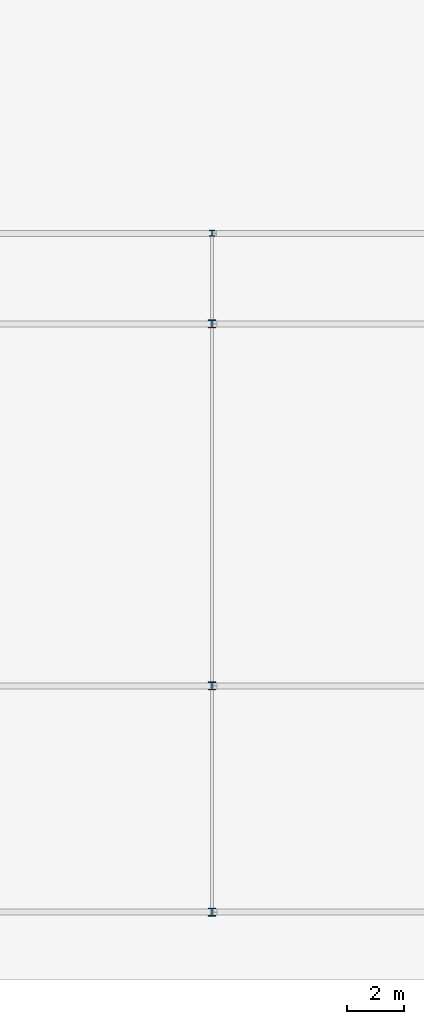
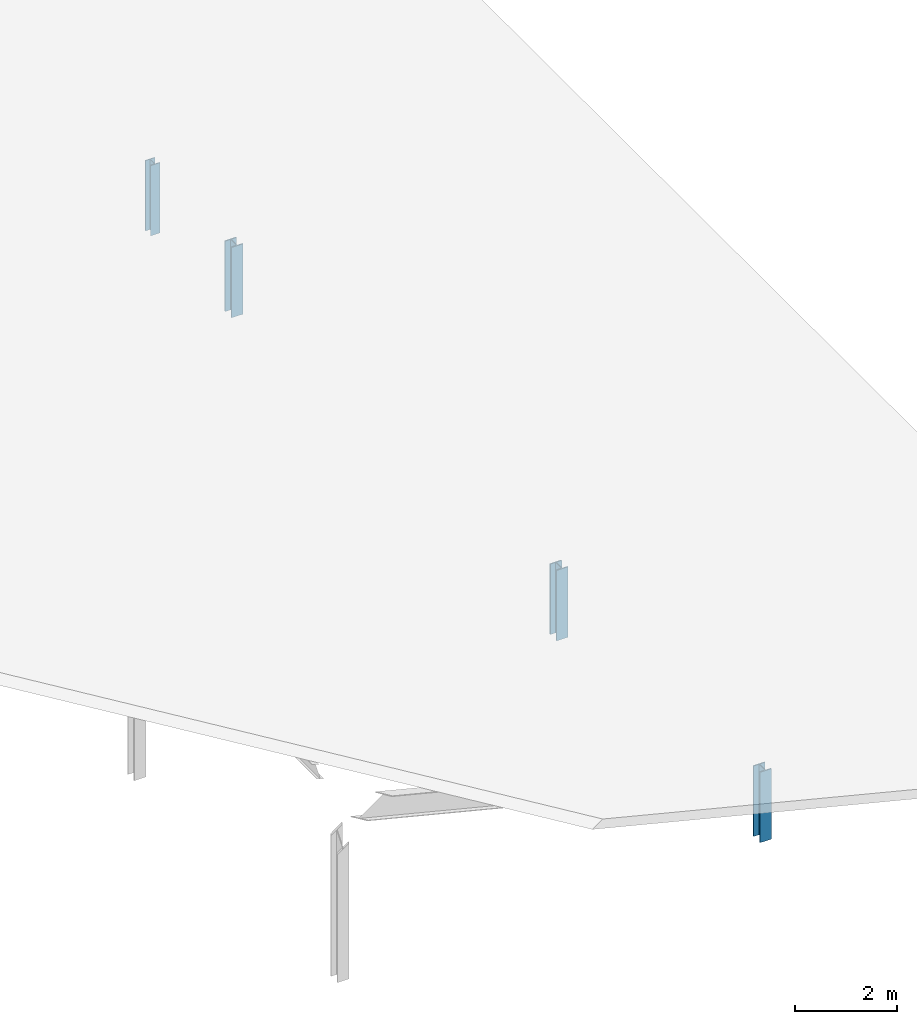
# One storey, part 4 of 22: 4 columns.
"""IFC4 building model written with IfcOpenShell, lengths in metres."""

from ifc_helpers import new_model, si_unit, direction, frame, origin, origin_2d, place, context, subcontext, project, spatial, i_section, extrude, material, material_profile, profile_set, type_object, element, save


model = new_model("IFC4")

# Units and contexts
model_context = context("Model", 3, precision=1e-05, world=origin(), true_north=direction((0.0, 1.0)))
body_context = subcontext(model_context, "Body", "Model", "MODEL_VIEW")
ifc_project = project(units=[si_unit("LENGTHUNIT", "METRE"), si_unit("AREAUNIT", "SQUARE_METRE"), si_unit("VOLUMEUNIT", "CUBIC_METRE"), si_unit("PLANEANGLEUNIT", "RADIAN"), si_unit("MASSUNIT", "GRAM", prefix="KILO")], contexts=[model_context])

# Site, building, storey
site_placement = place(None, origin())
site = spatial("IfcSite", under=ifc_project, at=site_placement, CompositionType="ELEMENT")
building_placement = place(site_placement, origin())
building = spatial("IfcBuilding", under=site, at=building_placement, Name="Dunescarp Central Library", CompositionType="ELEMENT")
storey_placement = place(building_placement, frame((0.0, 0.0, 27.60009765625)))
storey = spatial("IfcBuildingStorey", under=building, at=storey_placement, Name="L06", CompositionType="ELEMENT", Elevation=27.60009765625)

# Columns
ifc_material = material(Name="Steel S355JR", Category="steel")
ifc_material_profile_1 = material_profile(ifc_material, i_section(OverallWidth=0.206298828125, OverallDepth=0.2158203125, WebThickness=0.010009765625, FlangeThickness=0.017333984375, at=origin_2d()), Name="UC 203x203x71")
ifc_profile_set_1 = profile_set([ifc_material_profile_1], Name="Steel S355JR")
column_type_1 = type_object("IfcColumnType", Name="STR-COL-UC203X71", PredefinedType="COLUMN", material=ifc_profile_set_1)
column_placement = place(storey_placement, frame((67.199951171875, 28.800048828125, 0.0), z_axis=(0.0, 0.0, 1.0), x_axis=(1.0, 0.0, 0.0)))
element("IfcColumn", 1, at=column_placement, inside=storey, type_object=column_type_1, Name="L06 column V2N5-672", PredefinedType="COLUMN", context=body_context, shape_type="SweptSolid", body=[
    extrude(i_section(OverallWidth=0.206298828125, OverallDepth=0.2158203125, WebThickness=0.010009765625, FlangeThickness=0.017333984375, at=origin_2d()), origin(), (0.0, 0.0, 1.0), 1.69287109375),
])
ifc_material_profile_2 = material_profile(ifc_material, i_section(OverallWidth=0.26123046875, OverallDepth=0.2763671875, WebThickness=0.015380859375, FlangeThickness=0.025390625, at=origin_2d()), Name="UC 254x254x132")
ifc_profile_set_2 = profile_set([ifc_material_profile_2], Name="Steel S355JR")
column_type_2 = type_object("IfcColumnType", Name="STR-COL-UC254X132", PredefinedType="COLUMN", material=ifc_profile_set_2)
for number, where, z_axis, x_axis, name in (
    (2, (67.199951171875, 4.800048828125, 0.0), (0.0, 0.0, 1.0), (1.0, 0.0, 0.0), "L06 column V2-672-48"),
    (3, (67.199951171875, 12.800048828125, 0.0), (0.0, 0.0, 1.0), (1.0, 0.0, 0.0), "L06 column V2-672-128"),
    (4, (67.199951171875, 25.60009765625, 0.0), (0.0, 0.0, 1.0), (1.0, 0.0, 0.0), "L06 column V2-672-256"),
):
    element("IfcColumn", number, at=place(storey_placement, frame(where, z_axis=z_axis, x_axis=x_axis)), inside=storey, type_object=column_type_2, Name=name, PredefinedType="COLUMN", context=body_context, shape_type="SweptSolid", body=[
        extrude(i_section(OverallWidth=0.26123046875, OverallDepth=0.2763671875, WebThickness=0.015380859375, FlangeThickness=0.025390625, at=origin_2d()), origin(), (0.0, 0.0, 1.0), 1.69287109375),
    ])

save(model, "model.ifc")
